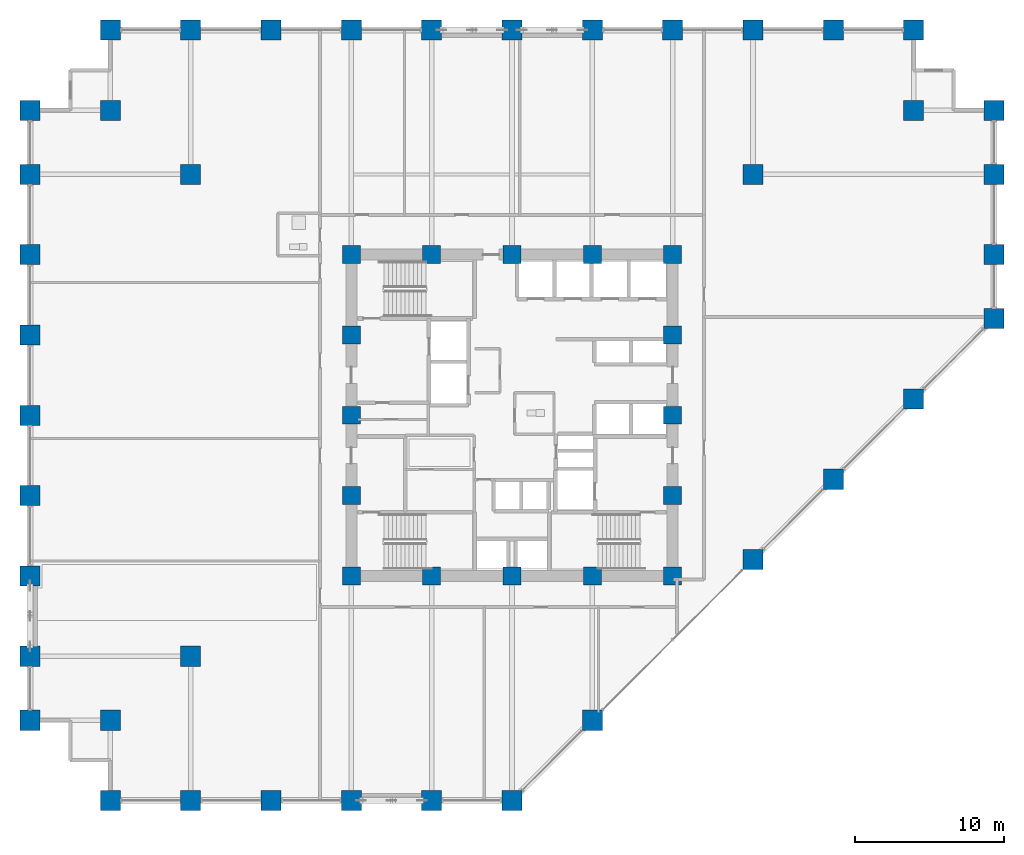
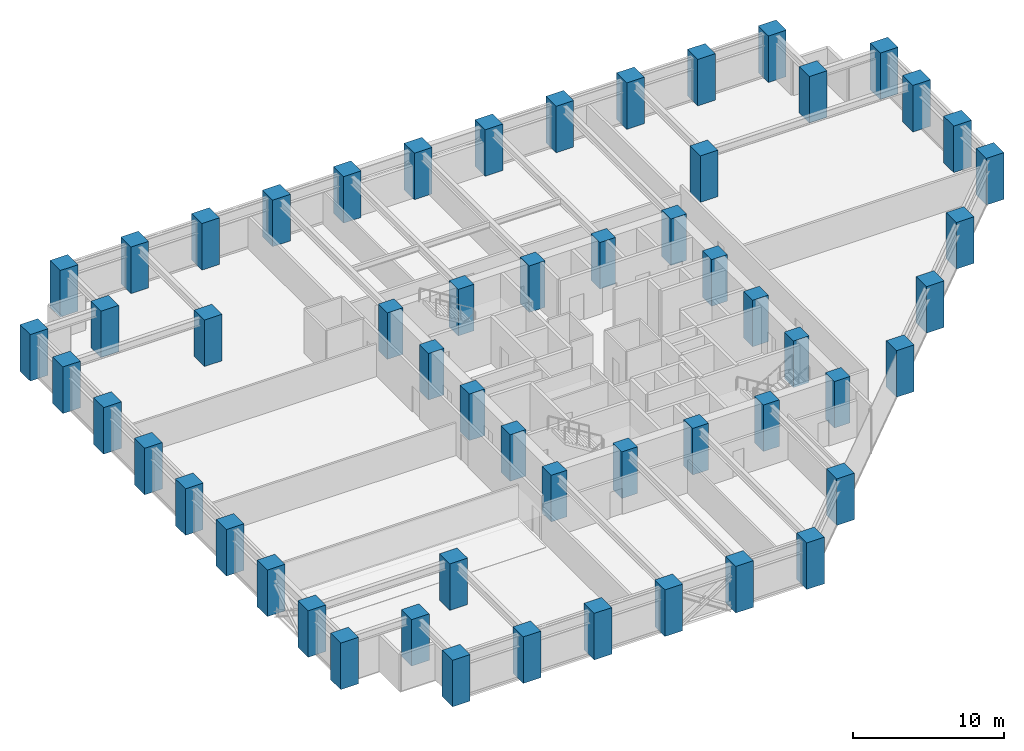
# One storey, part 1 of 25: 56 columns.
"""IFC4 building model written with IfcOpenShell, lengths in metres."""

from ifc_helpers import new_model, si_unit, direction, frame, origin, origin_2d, place, context, subcontext, project, spatial, rectangle, extrude, material, material_profile, profile_set, type_object, element, save


model = new_model("IFC4")

# Units and contexts
model_context = context("Model", 3, precision=1e-05, world=origin(), true_north=direction((0.0, 1.0)))
body_context = subcontext(model_context, "Body", "Model", "MODEL_VIEW")
ifc_project = project(units=[si_unit("LENGTHUNIT", "METRE"), si_unit("AREAUNIT", "SQUARE_METRE"), si_unit("VOLUMEUNIT", "CUBIC_METRE"), si_unit("PLANEANGLEUNIT", "RADIAN"), si_unit("MASSUNIT", "GRAM", prefix="KILO")], contexts=[model_context])

# Site, building, storey
site_placement = place(None, origin())
site = spatial("IfcSite", under=ifc_project, at=site_placement, CompositionType="ELEMENT")
building_placement = place(site_placement, origin())
building = spatial("IfcBuilding", under=site, at=building_placement, Name="Surkhivell Harbour Commons", CompositionType="ELEMENT")
storey_placement = place(building_placement, frame((0.0, 0.0, 52.5)))
storey = spatial("IfcBuildingStorey", under=building, at=storey_placement, Name="L13", CompositionType="ELEMENT", Elevation=52.5)

# Columns
ifc_material = material(Name="Concrete C80/95", Category="concrete")
ifc_material_profile_1 = material_profile(ifc_material, rectangle(XDim=1.35009765625, YDim=1.35009765625, at=origin_2d()), Name="RC-COL-1350x1350")
ifc_profile_set_1 = profile_set([ifc_material_profile_1], Name="Concrete C80/95")
column_type_1 = type_object("IfcColumnType", Name="COL-TUBE-Z1A", PredefinedType="COLUMN", material=ifc_profile_set_1)
for number, where, z_axis, x_axis, name in (
    (1, (-32.39990234375, -20.5, 0.0), (0.0, 0.0, 1.0), (1.0, 0.0, 0.0), "L13 Column CT-1A (-32.4,-20.5)"),
    (2, (-32.39990234375, -16.199951171875, 0.0), (0.0, 0.0, 1.0), (1.0, 0.0, 0.0), "L13 Column CT-1A (-32.4,-16.2)"),
    (3, (-32.39990234375, -10.800048828125, 0.0), (0.0, 0.0, 1.0), (1.0, 0.0, 0.0), "L13 Column CT-1A (-32.4,-10.8)"),
    (4, (-32.39990234375, -5.39990234375, 0.0), (0.0, 0.0, 1.0), (1.0, 0.0, 0.0), "L13 Column CT-1A (-32.4,-5.4)"),
    (5, (-32.39990234375, 0.0, 0.0), (0.0, 0.0, 1.0), (1.0, 0.0, 0.0), "L13 Column CT-1A (-32.4,0.0)"),
    (6, (-32.39990234375, 5.39990234375, 0.0), (0.0, 0.0, 1.0), (1.0, 0.0, 0.0), "L13 Column CT-1A (-32.4,5.4)"),
    (7, (-32.39990234375, 10.800048828125, 0.0), (0.0, 0.0, 1.0), (1.0, 0.0, 0.0), "L13 Column CT-1A (-32.4,10.8)"),
    (8, (-32.39990234375, 16.199951171875, 0.0), (0.0, 0.0, 1.0), (1.0, 0.0, 0.0), "L13 Column CT-1A (-32.4,16.2)"),
    (9, (-32.39990234375, 20.5, 0.0), (0.0, 0.0, 1.0), (1.0, 0.0, 0.0), "L13 Column CT-1A (-32.4,20.5)"),
    (10, (-27.0, -25.89990234375, 0.0), (0.0, 0.0, 1.0), (1.0, 0.0, 0.0), "L13 Column CT-1A (-27.0,-25.9)"),
    (11, (-27.0, -20.5, 0.0), (0.0, 0.0, 1.0), (1.0, 0.0, 0.0), "L13 Column CT-1A (-27.0,-20.5)"),
    (12, (-27.0, 20.5, 0.0), (0.0, 0.0, 1.0), (1.0, 0.0, 0.0), "L13 Column CT-1A (-27.0,20.5)"),
    (13, (-27.0, 25.89990234375, 0.0), (0.0, 0.0, 1.0), (1.0, 0.0, 0.0), "L13 Column CT-1A (-27.0,25.9)"),
    (14, (-21.60009765625, -25.89990234375, 0.0), (0.0, 0.0, 1.0), (1.0, 0.0, 0.0), "L13 Column CT-1A (-21.6,-25.9)"),
    (15, (-21.60009765625, -16.199951171875, 0.0), (0.0, 0.0, 1.0), (1.0, 0.0, 0.0), "L13 Column CT-1A (-21.6,-16.2)"),
    (16, (-21.60009765625, 16.199951171875, 0.0), (0.0, 0.0, 1.0), (1.0, 0.0, 0.0), "L13 Column CT-1A (-21.6,16.2)"),
    (17, (-21.60009765625, 25.89990234375, 0.0), (0.0, 0.0, 1.0), (1.0, 0.0, 0.0), "L13 Column CT-1A (-21.6,25.9)"),
    (18, (-16.199951171875, -25.89990234375, 0.0), (0.0, 0.0, 1.0), (1.0, 0.0, 0.0), "L13 Column CT-1A (-16.2,-25.9)"),
    (19, (-16.199951171875, 25.89990234375, 0.0), (0.0, 0.0, 1.0), (1.0, 0.0, 0.0), "L13 Column CT-1A (-16.2,25.9)"),
    (20, (-10.800048828125, -25.89990234375, 0.0), (0.0, 0.0, 1.0), (1.0, 0.0, 0.0), "L13 Column CT-1A (-10.8,-25.9)"),
    (21, (-10.800048828125, 25.89990234375, 0.0), (0.0, 0.0, 1.0), (1.0, 0.0, 0.0), "L13 Column CT-1A (-10.8,25.9)"),
    (22, (-5.39990234375, -25.89990234375, 0.0), (0.0, 0.0, 1.0), (1.0, 0.0, 0.0), "L13 Column CT-1A (-5.4,-25.9)"),
    (23, (-5.39990234375, 25.89990234375, 0.0), (0.0, 0.0, 1.0), (1.0, 0.0, 0.0), "L13 Column CT-1A (-5.4,25.9)"),
    (24, (0.0, -25.89990234375, 0.0), (0.0, 0.0, 1.0), (1.0, 0.0, 0.0), "L13 Column CT-1A (-0.0,-25.9)"),
    (25, (0.0, 25.89990234375, 0.0), (0.0, 0.0, 1.0), (1.0, 0.0, 0.0), "L13 Column CT-1A (-0.0,25.9)"),
    (26, (5.39990234375, -20.5, 0.0), (0.0, 0.0, 1.0), (1.0, 0.0, 0.0), "L13 Column CT-1A (5.4,-20.5)"),
    (27, (5.39990234375, 25.89990234375, 0.0), (0.0, 0.0, 1.0), (1.0, 0.0, 0.0), "L13 Column CT-1A (5.4,25.9)"),
    (28, (10.800048828125, 25.89990234375, 0.0), (0.0, 0.0, 1.0), (1.0, 0.0, 0.0), "L13 Column CT-1A (10.8,25.9)"),
    (29, (16.199951171875, -9.699951171875, 0.0), (0.0, 0.0, 1.0), (1.0, 0.0, 0.0), "L13 Column CT-1A (16.2,-9.7)"),
    (30, (16.199951171875, 16.199951171875, 0.0), (0.0, 0.0, 1.0), (1.0, 0.0, 0.0), "L13 Column CT-1A (16.2,16.2)"),
    (31, (16.199951171875, 25.89990234375, 0.0), (0.0, 0.0, 1.0), (1.0, 0.0, 0.0), "L13 Column CT-1A (16.2,25.9)"),
    (32, (21.60009765625, -4.300048828125, 0.0), (0.0, 0.0, 1.0), (1.0, 0.0, 0.0), "L13 Column CT-1A (21.6,-4.3)"),
    (33, (21.60009765625, 25.89990234375, 0.0), (0.0, 0.0, 1.0), (1.0, 0.0, 0.0), "L13 Column CT-1A (21.6,25.9)"),
    (34, (27.0, 1.10009765625, 0.0), (0.0, 0.0, 1.0), (1.0, 0.0, 0.0), "L13 Column CT-1A (27.0,1.1)"),
    (35, (27.0, 20.5, 0.0), (0.0, 0.0, 1.0), (1.0, 0.0, 0.0), "L13 Column CT-1A (27.0,20.5)"),
    (36, (27.0, 25.89990234375, 0.0), (0.0, 0.0, 1.0), (1.0, 0.0, 0.0), "L13 Column CT-1A (27.0,25.9)"),
    (37, (32.39990234375, 6.5, 0.0), (0.0, 0.0, 1.0), (1.0, 0.0, 0.0), "L13 Column CT-1A (32.4,6.5)"),
    (38, (32.39990234375, 10.800048828125, 0.0), (0.0, 0.0, 1.0), (1.0, 0.0, 0.0), "L13 Column CT-1A (32.4,10.8)"),
    (39, (32.39990234375, 16.199951171875, 0.0), (0.0, 0.0, 1.0), (1.0, 0.0, 0.0), "L13 Column CT-1A (32.4,16.2)"),
    (40, (32.39990234375, 20.5, 0.0), (0.0, 0.0, 1.0), (1.0, 0.0, 0.0), "L13 Column CT-1A (32.4,20.5)"),
):
    element("IfcColumn", number, at=place(storey_placement, frame(where, z_axis=z_axis, x_axis=x_axis)), inside=storey, type_object=column_type_1, Name=name, PredefinedType="COLUMN", context=body_context, shape_type="SweptSolid", body=[
        extrude(rectangle(XDim=1.35009765625, YDim=1.35009765625, at=origin_2d()), origin(), (0.0, 0.0, 1.0), 3.75),
    ])
ifc_material_profile_2 = material_profile(ifc_material, rectangle(XDim=1.199951171875, YDim=1.199951171875, at=origin_2d()), Name="RC-COL-1200x1200")
ifc_profile_set_2 = profile_set([ifc_material_profile_2], Name="Concrete C80/95")
column_type_2 = type_object("IfcColumnType", Name="COL-TUBE-Z1B", PredefinedType="COLUMN", material=ifc_profile_set_2)
for number, where, z_axis, x_axis, name in (
    (41, (-10.800048828125, -10.800048828125, 0.0), (0.0, 0.0, 1.0), (1.0, 0.0, 0.0), "L13 Column CT-1B (-10.8,-10.8)"),
    (42, (-10.800048828125, -5.39990234375, 0.0), (0.0, 0.0, 1.0), (1.0, 0.0, 0.0), "L13 Column CT-1B (-10.8,-5.4)"),
    (43, (-10.800048828125, 0.0, 0.0), (0.0, 0.0, 1.0), (1.0, 0.0, 0.0), "L13 Column CT-1B (-10.8,0.0)"),
    (44, (-10.800048828125, 5.39990234375, 0.0), (0.0, 0.0, 1.0), (1.0, 0.0, 0.0), "L13 Column CT-1B (-10.8,5.4)"),
    (45, (-10.800048828125, 10.800048828125, 0.0), (0.0, 0.0, 1.0), (1.0, 0.0, 0.0), "L13 Column CT-1B (-10.8,10.8)"),
    (46, (-5.39990234375, -10.800048828125, 0.0), (0.0, 0.0, 1.0), (1.0, 0.0, 0.0), "L13 Column CT-1B (-5.4,-10.8)"),
    (47, (-5.39990234375, 10.800048828125, 0.0), (0.0, 0.0, 1.0), (1.0, 0.0, 0.0), "L13 Column CT-1B (-5.4,10.8)"),
    (48, (0.0, -10.800048828125, 0.0), (0.0, 0.0, 1.0), (1.0, 0.0, 0.0), "L13 Column CT-1B (0.0,-10.8)"),
    (49, (0.0, 10.800048828125, 0.0), (0.0, 0.0, 1.0), (1.0, 0.0, 0.0), "L13 Column CT-1B (0.0,10.8)"),
    (50, (5.39990234375, -10.800048828125, 0.0), (0.0, 0.0, 1.0), (1.0, 0.0, 0.0), "L13 Column CT-1B (5.4,-10.8)"),
    (51, (5.39990234375, 10.800048828125, 0.0), (0.0, 0.0, 1.0), (1.0, 0.0, 0.0), "L13 Column CT-1B (5.4,10.8)"),
    (52, (10.800048828125, -10.800048828125, 0.0), (0.0, 0.0, 1.0), (1.0, 0.0, 0.0), "L13 Column CT-1B (10.8,-10.8)"),
    (53, (10.800048828125, -5.39990234375, 0.0), (0.0, 0.0, 1.0), (1.0, 0.0, 0.0), "L13 Column CT-1B (10.8,-5.4)"),
    (54, (10.800048828125, 0.0, 0.0), (0.0, 0.0, 1.0), (1.0, 0.0, 0.0), "L13 Column CT-1B (10.8,0.0)"),
    (55, (10.800048828125, 5.39990234375, 0.0), (0.0, 0.0, 1.0), (1.0, 0.0, 0.0), "L13 Column CT-1B (10.8,5.4)"),
    (56, (10.800048828125, 10.800048828125, 0.0), (0.0, 0.0, 1.0), (1.0, 0.0, 0.0), "L13 Column CT-1B (10.8,10.8)"),
):
    element("IfcColumn", number, at=place(storey_placement, frame(where, z_axis=z_axis, x_axis=x_axis)), inside=storey, type_object=column_type_2, Name=name, PredefinedType="COLUMN", context=body_context, shape_type="SweptSolid", body=[
        extrude(rectangle(XDim=1.199951171875, YDim=1.199951171875, at=origin_2d()), origin(), (0.0, 0.0, 1.0), 3.75),
    ])

save(model, "model.ifc")
